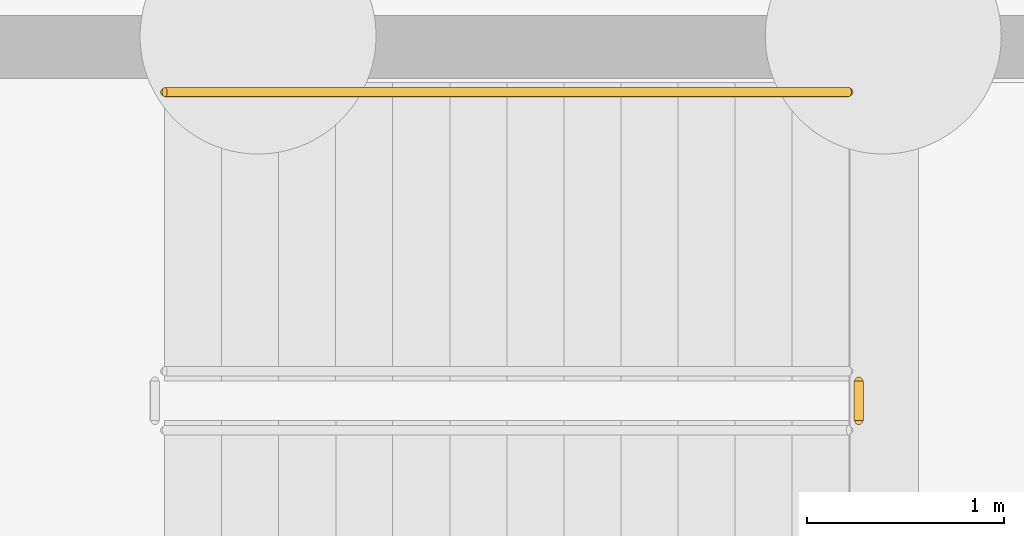
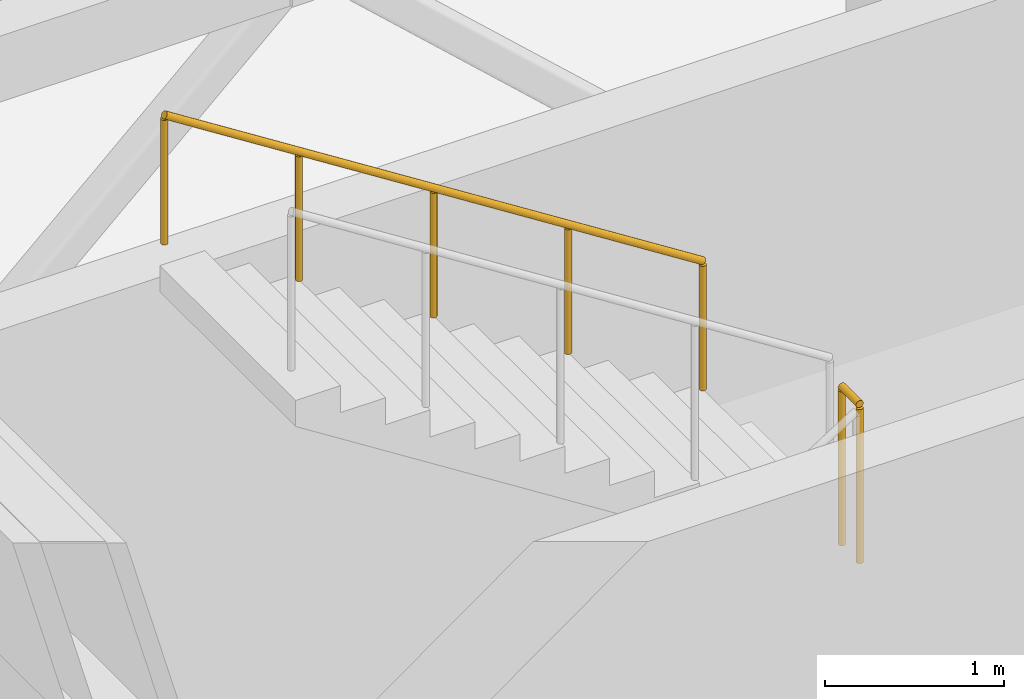
# One storey, part 35 of 37: 2 railings.
"""IFC4 building model written with IfcOpenShell, lengths in metres."""

from ifc_helpers import new_model, si_unit, direction, frame, origin, origin_2d, place, context, subcontext, project, spatial, circle, extrude, material, type_object, element, save


model = new_model("IFC4")

# Units and contexts
model_context = context("Model", 3, precision=1e-05, world=origin(), true_north=direction((0.0, 1.0)))
body_context = subcontext(model_context, "Body", "Model", "MODEL_VIEW")
ifc_project = project(units=[si_unit("LENGTHUNIT", "METRE"), si_unit("AREAUNIT", "SQUARE_METRE"), si_unit("VOLUMEUNIT", "CUBIC_METRE"), si_unit("PLANEANGLEUNIT", "RADIAN"), si_unit("MASSUNIT", "GRAM", prefix="KILO")], contexts=[model_context])

# Site, building, storey
site_placement = place(None, origin())
site = spatial("IfcSite", under=ifc_project, at=site_placement, CompositionType="ELEMENT")
building_placement = place(site_placement, origin())
building = spatial("IfcBuilding", under=site, at=building_placement, Name="Tarnavel Promenade Courthouse", CompositionType="ELEMENT")
storey_placement = place(building_placement, frame((0.0, 0.0, -4.800048828125)))
storey = spatial("IfcBuildingStorey", under=building, at=storey_placement, Name="B01", CompositionType="ELEMENT", Elevation=-4.800048828125)

# Railings
ifc_material_1 = material(Name="Brushed Bronze Tubular Stair Handrail")
railing_type_1 = type_object("IfcRailingType", Name="Brushed Bronze Tubular Stair Handrail (RL-HND-0900)", PredefinedType="HANDRAIL", material=ifc_material_1)
railing_1_placement = place(storey_placement, frame((80.800048828125, 101.68994140625, 2.584716796875)))
element("IfcRailing", 1, at=railing_1_placement, inside=storey, type_object=railing_type_1, Name="B01 ST-03 stair handrail 2", PredefinedType="HANDRAIL", context=body_context, shape_type="SweptSolid", body=[
    extrude(circle(Radius=0.02392578125, at=origin_2d()), frame((0.0, 0.0, 0.8759765625), z_axis=(-0.843573748531, 0.0, 0.537013343214), x_axis=(0.0, -1.0, 0.0)), (0.0, 0.0, 1.0), 4.125244140625),
    extrude(circle(Radius=0.02099609375, at=origin_2d()), origin(), (0.0, 0.0, 1.0), 0.851806640625),
    extrude(circle(Radius=0.02099609375, at=origin_2d()), frame((-0.8701171875, 0.0, 0.5537109375)), (0.0, 0.0, 1.0), 0.851806640625),
    extrude(circle(Radius=0.02099609375, at=origin_2d()), frame((-1.739990234375, 0.0, 1.107666015625)), (0.0, 0.0, 1.0), 0.851806640625),
    extrude(circle(Radius=0.02099609375, at=origin_2d()), frame((-2.60986328125, 0.0, 1.66162109375)), (0.0, 0.0, 1.0), 0.851806640625),
    extrude(circle(Radius=0.02099609375, at=origin_2d()), frame((-3.47998046875, 0.0, 2.21533203125)), (0.0, 0.0, 1.0), 0.851806640625),
])
ifc_material_2 = material(Name="Painted Architectural Steel Core Stair Guardrail", Category="steel")
railing_type_2 = type_object("IfcRailingType", Name="Painted Architectural Steel Core Stair Guardrail (RL-GRD-1100)", PredefinedType="GUARDRAIL", material=ifc_material_2)
railing_2_placement = place(storey_placement, frame((80.85009765625, 100.02001953125, 2.400146484375)))
element("IfcRailing", 2, at=railing_2_placement, inside=storey, type_object=railing_type_2, Name="B01 ST-03 stair guard 2", PredefinedType="GUARDRAIL", context=body_context, shape_type="SweptSolid", body=[
    extrude(circle(Radius=0.02392578125, at=origin_2d()), frame((0.0, 0.0, 1.076171875), z_axis=(0.0, 1.0, 0.0), x_axis=(-1.0, 0.0, 0.0)), (0.0, 0.0, 1.0), 0.199951171875),
    extrude(circle(Radius=0.02099609375, at=origin_2d()), origin(), (0.0, 0.0, 1.0), 1.052001953125),
    extrude(circle(Radius=0.02099609375, at=origin_2d()), frame((0.0, 0.199951171875, 0.0)), (0.0, 0.0, 1.0), 1.052001953125),
])

save(model, "model.ifc")
